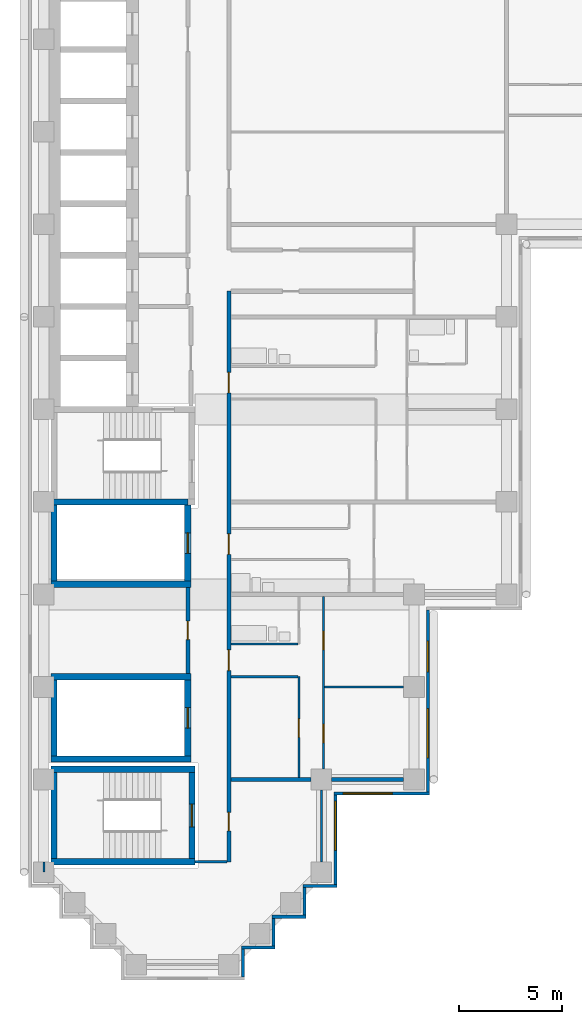
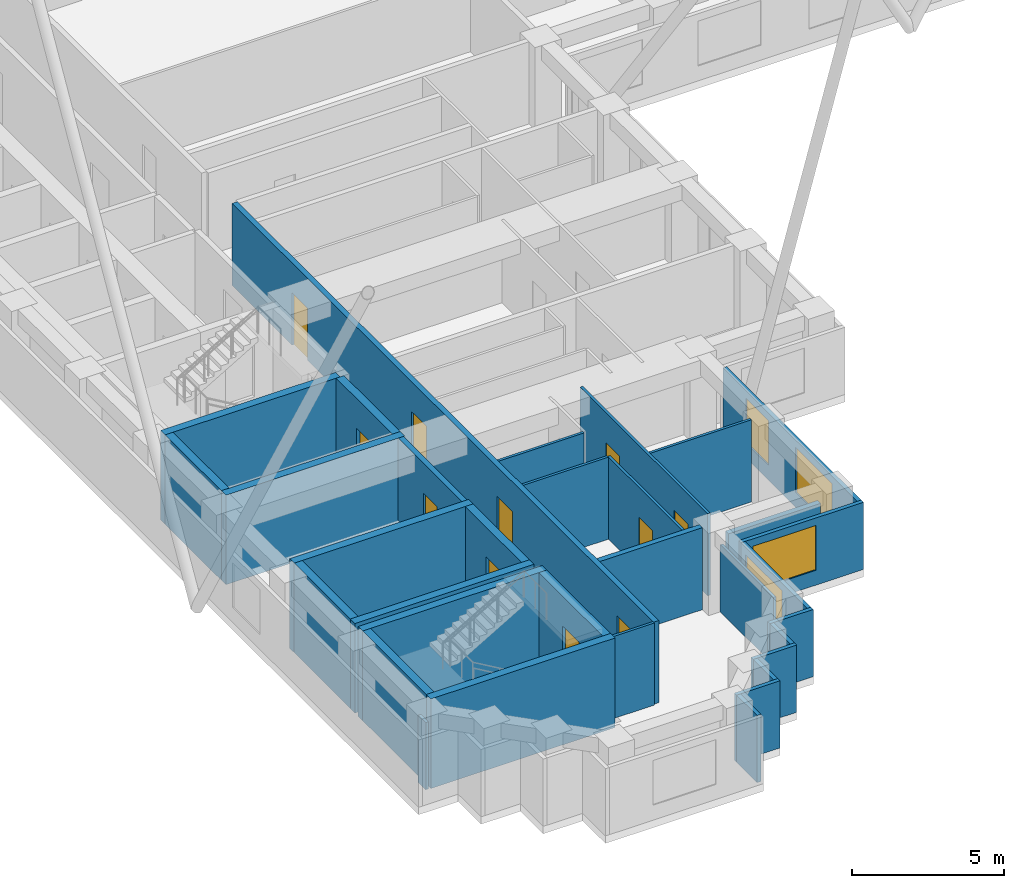
# One storey, part 3 of 13: 33 walls, 11 doors, 4 windows, 15 openings.
"""IFC4 building model written with IfcOpenShell, lengths in metres."""

from ifc_helpers import new_model, si_unit, direction, frame, frame_2d, origin, place, context, subcontext, project, spatial, rectangle, extrude, material, layer, layer_set, type_object, element, fill, save


model = new_model("IFC4")

# Units and contexts
model_context = context("Model", 3, precision=1e-05, world=origin(), true_north=direction((0.0, 1.0)))
body_context = subcontext(model_context, "Body", "Model", "MODEL_VIEW")
ifc_project = project(units=[si_unit("LENGTHUNIT", "METRE"), si_unit("AREAUNIT", "SQUARE_METRE"), si_unit("VOLUMEUNIT", "CUBIC_METRE"), si_unit("PLANEANGLEUNIT", "RADIAN"), si_unit("MASSUNIT", "GRAM", prefix="KILO")], contexts=[model_context])

# Site, building, storey
site_placement = place(None, origin())
site = spatial("IfcSite", under=ifc_project, at=site_placement, CompositionType="ELEMENT")
building_placement = place(site_placement, origin())
building = spatial("IfcBuilding", under=site, at=building_placement, Name="Firuza Court", CompositionType="ELEMENT")
storey_placement = place(building_placement, frame((0.0, 0.0, 162.800048828125)))
storey = spatial("IfcBuildingStorey", under=building, at=storey_placement, Name="L41", CompositionType="ELEMENT", Elevation=162.800048828125)

# Walls
ifc_material_1 = material(Name="Moisture-resistant gypsum board partition")
ifc_layer_1 = layer(ifc_material_1, 0.10009765625)
ifc_layer_set_1 = layer_set([ifc_layer_1], Name="Moisture-resistant gypsum board partition")
wall_type_1 = type_object("IfcWallType", Name="Bathroom partition 100", PredefinedType="PLUMBINGWALL", material=ifc_layer_set_1)
wall_1_placement = place(storey_placement, frame((9.10009765625, 15.60009765625, 0.0), z_axis=(0.0, 0.0, 1.0), x_axis=(1.0, 0.0, 0.0)))
element("IfcWall", 1, at=wall_1_placement, inside=storey, type_object=wall_type_1, Name="Bathroom partition 100 L41", PredefinedType="PLUMBINGWALL", context=body_context, shape_type="SweptSolid", body=[
    extrude(rectangle(XDim=3.25, YDim=0.10009765625, at=frame_2d((1.625, 0.0))), origin(), (0.0, 0.0, 1.0), 3.300048828125),
])
ifc_material_2 = material(Name="Concrete C60/75", Category="concrete")
ifc_layer_2 = layer(ifc_material_2, 0.300048828125)
ifc_layer_set_2 = layer_set([ifc_layer_2], Name="Concrete C60/75")
wall_type_2 = type_object("IfcWallType", Name="Core wall 300 C60/75", PredefinedType="SHEAR", material=ifc_layer_set_2)
for number, where, z_axis, x_axis, name in (
    (2, (0.35009765625, 5.0, -0.300048828125), (0.0, 0.0, 1.0), (1.0, 0.0, 0.0), "Core wall stair L41"),
    (3, (0.35009765625, 9.5, -0.300048828125), (0.0, 0.0, 1.0), (1.0, 0.0, 0.0), "Core wall stair L41"),
):
    element("IfcWall", number, at=place(storey_placement, frame(where, z_axis=z_axis, x_axis=x_axis)), inside=storey, type_object=wall_type_2, Name=name, PredefinedType="SHEAR", context=body_context, shape_type="SweptSolid", body=[
        extrude(rectangle(XDim=7.0, YDim=0.300048828125, at=frame_2d((3.5, 0.0))), origin(), (0.0, 0.0, 1.0), 3.60009765625),
    ])
for number, where, z_axis, x_axis, name in (
    (4, (0.35009765625, 10.0, -0.300048828125), (0.0, 0.0, 1.0), (1.0, 0.0, 0.0), "Core wall riser L41"),
    (5, (0.35009765625, 14.0, -0.300048828125), (0.0, 0.0, 1.0), (1.0, 0.0, 0.0), "Core wall riser L41"),
    (6, (0.35009765625, 18.5, -0.300048828125), (0.0, 0.0, 1.0), (1.0, 0.0, 0.0), "Core wall riser L41"),
):
    element("IfcWall", number, at=place(storey_placement, frame(where, z_axis=z_axis, x_axis=x_axis)), inside=storey, type_object=wall_type_2, Name=name, PredefinedType="SHEAR", context=body_context, shape_type="SweptSolid", body=[
        extrude(rectangle(XDim=6.7998046875, YDim=0.300048828125, at=frame_2d((3.39990234375, 0.0))), origin(), (0.0, 0.0, 1.0), 3.60009765625),
    ])
wall_2_placement = place(storey_placement, frame((0.35009765625, 22.5, -0.300048828125), z_axis=(0.0, 0.0, 1.0), x_axis=(1.0, 0.0, 0.0)))
element("IfcWall", 7, at=wall_2_placement, inside=storey, type_object=wall_type_2, Name="Core wall riser L41", PredefinedType="SHEAR", context=body_context, shape_type="SweptSolid", body=[
    extrude(rectangle(XDim=6.64990234375, YDim=0.300048828125, at=frame_2d((3.324951171875, 0.0))), origin(), (0.0, 0.0, 1.0), 3.60009765625),
])
wall_3_placement = place(storey_placement, frame((0.5, 5.14990234375, -0.300048828125), z_axis=(0.0, 0.0, 1.0), x_axis=(0.0, 1.0, 0.0)))
element("IfcWall", 8, at=wall_3_placement, inside=storey, type_object=wall_type_2, Name="Core wall stair L41", PredefinedType="SHEAR", context=body_context, shape_type="SweptSolid", body=[
    extrude(rectangle(XDim=4.2001953125, YDim=0.300048828125, at=frame_2d((2.10009765625, 0.0))), origin(), (0.0, 0.0, 1.0), 3.60009765625),
])
for number, where, z_axis, x_axis, name in (
    (9, (0.5, 10.14990234375, -0.300048828125), (0.0, 0.0, 1.0), (0.0, 1.0, 0.0), "Core wall riser L41"),
    (10, (0.5, 18.64990234375, -0.300048828125), (0.0, 0.0, 1.0), (0.0, 1.0, 0.0), "Core wall riser L41"),
):
    element("IfcWall", number, at=place(storey_placement, frame(where, z_axis=z_axis, x_axis=x_axis)), inside=storey, type_object=wall_type_2, Name=name, PredefinedType="SHEAR", context=body_context, shape_type="SweptSolid", body=[
        extrude(rectangle(XDim=3.7001953125, YDim=0.300048828125, at=frame_2d((1.85009765625, 0.0))), origin(), (0.0, 0.0, 1.0), 3.60009765625),
    ])

# Wall, opening, door
wall_4_placement = place(storey_placement, frame((7.0, 10.14990234375, -0.300048828125), z_axis=(0.0, 0.0, 1.0), x_axis=(0.0, 1.0, 0.0)))
wall_4 = element("IfcWall", 11, at=wall_4_placement, inside=storey, type_object=wall_type_2, Name="Core wall riser L41", PredefinedType="SHEAR", context=body_context, shape_type="SweptSolid", body=[
    extrude(rectangle(XDim=3.7001953125, YDim=0.300048828125, at=frame_2d((1.85009765625, 0.0))), origin(), (0.0, 0.0, 1.0), 3.60009765625),
])
opening_1_placement = place(wall_4_placement, frame((1.35009765625, 0.0, 0.300048828125)))
opening_1 = element("IfcOpeningElement", 12, at=opening_1_placement, cuts=wall_4, Name="Opening D41011", PredefinedType="OPENING", context=body_context, shape_type="SweptSolid", body=[
    extrude(rectangle(XDim=1.0, YDim=2.10009765625, at=frame_2d((0.5, 1.050048828125))), frame((0.0, 0.162109375, 0.0), z_axis=(0.0, -1.0, 0.0), x_axis=(1.0, 0.0, 0.0)), (0.0, 0.0, 1.0), 0.323974609375),
])
ifc_material_3 = material(Name="Timber door leaf in hardwood frame", Category="wood")
door_type_1 = type_object("IfcDoorType", Name="Riser door 1000", OperationType="SINGLE_SWING_LEFT", PredefinedType="DOOR", material=ifc_material_3)
door_1_placement = place(opening_1_placement, origin())
door_1 = element("IfcDoor", 13, at=door_1_placement, inside=storey, type_object=door_type_1, Name="Riser door R4", OperationType="SINGLE_SWING_LEFT", OverallHeight=2.10009765625, OverallWidth=1.0, PredefinedType="DOOR", context=body_context, shape_type="SweptSolid", body=[
    extrude(rectangle(XDim=1.0, YDim=2.10009765625, at=frame_2d((0.5, 1.050048828125))), frame((0.0, 0.02490234375, 0.0), z_axis=(0.0, -1.0, 0.0), x_axis=(1.0, 0.0, 0.0)), (0.0, 0.0, 1.0), 0.050048828125),
])
fill(opening_1, door_1)

wall_5_placement = place(storey_placement, frame((7.0, 18.64990234375, -0.300048828125), z_axis=(0.0, 0.0, 1.0), x_axis=(0.0, 1.0, 0.0)))
wall_5 = element("IfcWall", 14, at=wall_5_placement, inside=storey, type_object=wall_type_2, Name="Core wall riser L41", PredefinedType="SHEAR", context=body_context, shape_type="SweptSolid", body=[
    extrude(rectangle(XDim=3.7001953125, YDim=0.300048828125, at=frame_2d((1.85009765625, 0.0))), origin(), (0.0, 0.0, 1.0), 3.60009765625),
])
opening_2_placement = place(wall_5_placement, frame((1.35009765625, 0.0, 0.300048828125)))
opening_2 = element("IfcOpeningElement", 15, at=opening_2_placement, cuts=wall_5, Name="Opening D41009", PredefinedType="OPENING", context=body_context, shape_type="SweptSolid", body=[
    extrude(rectangle(XDim=1.0, YDim=2.10009765625, at=frame_2d((0.5, 1.050048828125))), frame((0.0, 0.162109375, 0.0), z_axis=(0.0, -1.0, 0.0), x_axis=(1.0, 0.0, 0.0)), (0.0, 0.0, 1.0), 0.323974609375),
])
door_2_placement = place(opening_2_placement, origin())
door_2 = element("IfcDoor", 16, at=door_2_placement, inside=storey, type_object=door_type_1, Name="Riser door R1", OperationType="SINGLE_SWING_LEFT", OverallHeight=2.10009765625, OverallWidth=1.0, PredefinedType="DOOR", context=body_context, shape_type="SweptSolid", body=[
    extrude(rectangle(XDim=1.0, YDim=2.10009765625, at=frame_2d((0.5, 1.050048828125))), frame((0.0, 0.02490234375, 0.0), z_axis=(0.0, -1.0, 0.0), x_axis=(1.0, 0.0, 0.0)), (0.0, 0.0, 1.0), 0.050048828125),
])
fill(opening_2, door_2)

wall_6_placement = place(storey_placement, frame((7.199951171875, 5.14990234375, -0.300048828125), z_axis=(0.0, 0.0, 1.0), x_axis=(0.0, 1.0, 0.0)))
wall_6 = element("IfcWall", 17, at=wall_6_placement, inside=storey, type_object=wall_type_2, Name="Core wall stair L41", PredefinedType="SHEAR", context=body_context, shape_type="SweptSolid", body=[
    extrude(rectangle(XDim=4.2001953125, YDim=0.300048828125, at=frame_2d((2.10009765625, 0.0))), origin(), (0.0, 0.0, 1.0), 3.60009765625),
])
opening_3_placement = place(wall_6_placement, frame((1.550048828125, 0.0, 0.300048828125)))
opening_3 = element("IfcOpeningElement", 18, at=opening_3_placement, cuts=wall_6, Name="Opening D41017", PredefinedType="OPENING", context=body_context, shape_type="SweptSolid", body=[
    extrude(rectangle(XDim=1.10009765625, YDim=2.10009765625, at=frame_2d((0.550048828125, 1.050048828125))), frame((0.0, 0.162109375, 0.0), z_axis=(0.0, -1.0, 0.0), x_axis=(1.0, 0.0, 0.0)), (0.0, 0.0, 1.0), 0.323974609375),
])
ifc_material_4 = material(Name="Timber door leaf in hardwood frame", Category="wood")
door_type_2 = type_object("IfcDoorType", Name="Stair door 1100", OperationType="SINGLE_SWING_LEFT", PredefinedType="DOOR", material=ifc_material_4)
door_3_placement = place(opening_3_placement, origin())
door_3 = element("IfcDoor", 19, at=door_3_placement, inside=storey, type_object=door_type_2, Name="Stair door S5", OperationType="SINGLE_SWING_LEFT", OverallHeight=2.10009765625, OverallWidth=1.10009765625, PredefinedType="DOOR", context=body_context, shape_type="SweptSolid", body=[
    extrude(rectangle(XDim=1.10009765625, YDim=2.10009765625, at=frame_2d((0.550048828125, 1.050048828125))), frame((0.0, 0.02490234375, 0.0), z_axis=(0.0, -1.0, 0.0), x_axis=(1.0, 0.0, 0.0)), (0.0, 0.0, 1.0), 0.050048828125),
])
fill(opening_3, door_3)

# Wall, openings, doors
ifc_material_5 = material(Name="Blockwork, plastered both sides", Category="masonry")
ifc_layer_3 = layer(ifc_material_5, 0.199951171875)
ifc_layer_set_3 = layer_set([ifc_layer_3], Name="Blockwork, plastered both sides")
wall_type_3 = type_object("IfcWallType", Name="Corridor wall 200", PredefinedType="PARTITIONING", material=ifc_layer_set_3)
wall_7_placement = place(storey_placement, frame((9.0, 5.0, 0.0), z_axis=(0.0, 0.0, 1.0), x_axis=(0.0, 1.0, 0.0)))
wall_7 = element("IfcWall", 20, at=wall_7_placement, inside=storey, type_object=wall_type_3, Name="Corridor wall 200 L41", PredefinedType="PARTITIONING", context=body_context, shape_type="SweptSolid", body=[
    extrude(rectangle(XDim=27.75, YDim=0.199951171875, at=frame_2d((13.875, 0.0))), origin(), (0.0, 0.0, 1.0), 3.300048828125),
])
opening_4_placement = place(wall_7_placement, frame((22.800048828125, 0.0, 0.0)))
opening_4 = element("IfcOpeningElement", 21, at=opening_4_placement, cuts=wall_7, Name="Opening D41018", PredefinedType="OPENING", context=body_context, shape_type="SweptSolid", body=[
    extrude(rectangle(XDim=1.0, YDim=2.10009765625, at=frame_2d((0.5, 1.050048828125))), frame((0.0, 0.11181640625, 0.0), z_axis=(0.0, -1.0, 0.0), x_axis=(1.0, 0.0, 0.0)), (0.0, 0.0, 1.0), 0.223876953125),
])
opening_5_placement = place(wall_7_placement, frame((14.949951171875, 0.0, 0.0)))
opening_5 = element("IfcOpeningElement", 22, at=opening_5_placement, cuts=wall_7, Name="Opening D41019", PredefinedType="OPENING", context=body_context, shape_type="SweptSolid", body=[
    extrude(rectangle(XDim=1.0, YDim=2.10009765625, at=frame_2d((0.5, 1.050048828125))), frame((0.0, 0.11181640625, 0.0), z_axis=(0.0, -1.0, 0.0), x_axis=(1.0, 0.0, 0.0)), (0.0, 0.0, 1.0), 0.223876953125),
])
opening_6_placement = place(wall_7_placement, frame((9.300048828125, 0.0, 0.0)))
opening_6 = element("IfcOpeningElement", 23, at=opening_6_placement, cuts=wall_7, Name="Opening D41020", PredefinedType="OPENING", context=body_context, shape_type="SweptSolid", body=[
    extrude(rectangle(XDim=1.0, YDim=2.10009765625, at=frame_2d((0.5, 1.050048828125))), frame((0.0, 0.11181640625, 0.0), z_axis=(0.0, -1.0, 0.0), x_axis=(1.0, 0.0, 0.0)), (0.0, 0.0, 1.0), 0.223876953125),
])
opening_7_placement = place(wall_7_placement, frame((1.5, 0.0, 0.0)))
opening_7 = element("IfcOpeningElement", 24, at=opening_7_placement, cuts=wall_7, Name="Opening D41021", PredefinedType="OPENING", context=body_context, shape_type="SweptSolid", body=[
    extrude(rectangle(XDim=0.89990234375, YDim=2.10009765625, at=frame_2d((0.449951171875, 1.050048828125))), frame((0.0, 0.11181640625, 0.0), z_axis=(0.0, -1.0, 0.0), x_axis=(1.0, 0.0, 0.0)), (0.0, 0.0, 1.0), 0.223876953125),
])
ifc_material_6 = material(Name="Timber door leaf in hardwood frame", Category="wood")
door_type_3 = type_object("IfcDoorType", Name="Flat entrance door 1000", OperationType="SINGLE_SWING_LEFT", PredefinedType="DOOR", material=ifc_material_6)
door_4_placement = place(opening_4_placement, origin())
door_4 = element("IfcDoor", 25, at=door_4_placement, inside=storey, type_object=door_type_3, Name="Flat entrance door", OperationType="SINGLE_SWING_LEFT", OverallHeight=2.10009765625, OverallWidth=1.0, PredefinedType="DOOR", context=body_context, shape_type="SweptSolid", body=[
    extrude(rectangle(XDim=1.0, YDim=2.10009765625, at=frame_2d((0.5, 1.050048828125))), frame((0.0, 0.02490234375, 0.0), z_axis=(0.0, -1.0, 0.0), x_axis=(1.0, 0.0, 0.0)), (0.0, 0.0, 1.0), 0.050048828125),
])
fill(opening_4, door_4)
door_5_placement = place(opening_5_placement, origin())
door_5 = element("IfcDoor", 26, at=door_5_placement, inside=storey, type_object=door_type_3, Name="Flat entrance door", OperationType="SINGLE_SWING_LEFT", OverallHeight=2.10009765625, OverallWidth=1.0, PredefinedType="DOOR", context=body_context, shape_type="SweptSolid", body=[
    extrude(rectangle(XDim=1.0, YDim=2.10009765625, at=frame_2d((0.5, 1.050048828125))), frame((0.0, 0.02490234375, 0.0), z_axis=(0.0, -1.0, 0.0), x_axis=(1.0, 0.0, 0.0)), (0.0, 0.0, 1.0), 0.050048828125),
])
fill(opening_5, door_5)
door_6_placement = place(opening_6_placement, origin())
door_6 = element("IfcDoor", 27, at=door_6_placement, inside=storey, type_object=door_type_3, Name="Flat entrance door", OperationType="SINGLE_SWING_LEFT", OverallHeight=2.10009765625, OverallWidth=1.0, PredefinedType="DOOR", context=body_context, shape_type="SweptSolid", body=[
    extrude(rectangle(XDim=1.0, YDim=2.10009765625, at=frame_2d((0.5, 1.050048828125))), frame((0.0, 0.02490234375, 0.0), z_axis=(0.0, -1.0, 0.0), x_axis=(1.0, 0.0, 0.0)), (0.0, 0.0, 1.0), 0.050048828125),
])
fill(opening_6, door_6)
ifc_material_7 = material(Name="Timber door leaf in hardwood frame", Category="wood")
door_type_4 = type_object("IfcDoorType", Name="Room door 900 EI 30", OperationType="SINGLE_SWING_LEFT", PredefinedType="DOOR", material=ifc_material_7)
door_7_placement = place(opening_7_placement, frame((0.89990234375, 0.0, 0.0), z_axis=(0.0, 0.0, 1.0), x_axis=(-1.0, 0.0, 0.0)))
door_7 = element("IfcDoor", 28, at=door_7_placement, inside=storey, type_object=door_type_4, Name="Music room door", OperationType="SINGLE_SWING_LEFT", OverallHeight=2.10009765625, OverallWidth=0.89990234375, PredefinedType="DOOR", context=body_context, shape_type="SweptSolid", body=[
    extrude(rectangle(XDim=0.89990234375, YDim=2.10009765625, at=frame_2d((0.449951171875, 1.050048828125))), frame((0.0, 0.02490234375, 0.0), z_axis=(0.0, -1.0, 0.0), x_axis=(1.0, 0.0, 0.0)), (0.0, 0.0, 1.0), 0.050048828125),
])
fill(opening_7, door_7)

# Wall, opening, door
wall_8_placement = place(storey_placement, frame((7.0, 14.14990234375, 0.0), z_axis=(0.0, 0.0, 1.0), x_axis=(0.0, 1.0, 0.0)))
wall_8 = element("IfcWall", 29, at=wall_8_placement, inside=storey, type_object=wall_type_3, Name="Corridor wall 200 L41", PredefinedType="PARTITIONING", context=body_context, shape_type="SweptSolid", body=[
    extrude(rectangle(XDim=4.2001953125, YDim=0.199951171875, at=frame_2d((2.10009765625, 0.0))), origin(), (0.0, 0.0, 1.0), 3.300048828125),
])
opening_8_placement = place(wall_8_placement, frame((1.64990234375, 0.0, 0.0)))
opening_8 = element("IfcOpeningElement", 30, at=opening_8_placement, cuts=wall_8, Name="Opening D41025", PredefinedType="OPENING", context=body_context, shape_type="SweptSolid", body=[
    extrude(rectangle(XDim=0.89990234375, YDim=2.10009765625, at=frame_2d((0.449951171875, 1.050048828125))), frame((0.0, 0.11181640625, 0.0), z_axis=(0.0, -1.0, 0.0), x_axis=(1.0, 0.0, 0.0)), (0.0, 0.0, 1.0), 0.223876953125),
])
door_8_placement = place(opening_8_placement, origin())
door_8 = element("IfcDoor", 31, at=door_8_placement, inside=storey, type_object=door_type_4, Name="Meeting room door", OperationType="SINGLE_SWING_LEFT", OverallHeight=2.10009765625, OverallWidth=0.89990234375, PredefinedType="DOOR", context=body_context, shape_type="SweptSolid", body=[
    extrude(rectangle(XDim=0.89990234375, YDim=2.10009765625, at=frame_2d((0.449951171875, 1.050048828125))), frame((0.0, 0.02490234375, 0.0), z_axis=(0.0, -1.0, 0.0), x_axis=(1.0, 0.0, 0.0)), (0.0, 0.0, 1.0), 0.050048828125),
])
fill(opening_8, door_8)

# Walls
ifc_material_8 = material(Name="Timber stud partition, plasterboard both sides", Category="wood")
ifc_layer_4 = layer(ifc_material_8, 0.10009765625)
ifc_layer_set_4 = layer_set([ifc_layer_4], Name="Timber stud partition, plasterboard both sides")
wall_type_4 = type_object("IfcWallType", Name="Partition wall 100", PredefinedType="PARTITIONING", material=ifc_layer_set_4)
wall_9_placement = place(storey_placement, frame((0.0, 4.5, 0.0), z_axis=(0.0, 0.0, 1.0), x_axis=(0.0, 1.0, 0.0)))
element("IfcWall", 32, at=wall_9_placement, inside=storey, type_object=wall_type_4, Name="Partition wall 100 L41", PredefinedType="PARTITIONING", context=body_context, shape_type="SweptSolid", body=[
    extrude(rectangle(XDim=0.5, YDim=0.10009765625, at=frame_2d((0.25, 0.0))), origin(), (0.0, 0.0, 1.0), 2.699951171875),
])
wall_10_placement = place(storey_placement, frame((7.34912109375, 5.0, 0.0), z_axis=(0.0, 0.0, 1.0), x_axis=(1.0, 0.0, 0.0)))
element("IfcWall", 33, at=wall_10_placement, inside=storey, type_object=wall_type_4, Name="Partition wall 100 L41", PredefinedType="PARTITIONING", context=body_context, shape_type="SweptSolid", body=[
    extrude(rectangle(XDim=1.55078125, YDim=0.10009765625, at=frame_2d((0.775390625, 0.0))), origin(), (0.0, 0.0, 1.0), 3.300048828125),
])
wall_11_placement = place(storey_placement, frame((13.5, 5.0, 0.0), z_axis=(0.0, 0.0, 1.0), x_axis=(0.0, 1.0, 0.0)))
element("IfcWall", 34, at=wall_11_placement, inside=storey, type_object=wall_type_4, Name="Partition wall 100 L41", PredefinedType="PARTITIONING", context=body_context, shape_type="SweptSolid", body=[
    extrude(rectangle(XDim=3.5, YDim=0.10009765625, at=frame_2d((1.75, 0.0))), origin(), (0.0, 0.0, 1.0), 2.699951171875),
])

# Wall, opening, door
wall_12_placement = place(storey_placement, frame((12.39990234375, 9.10009765625, 0.0), z_axis=(0.0, 0.0, 1.0), x_axis=(0.0, 1.0, 0.0)))
wall_12 = element("IfcWall", 35, at=wall_12_placement, inside=storey, type_object=wall_type_4, Name="Partition wall 100 L41", PredefinedType="PARTITIONING", context=body_context, shape_type="SweptSolid", body=[
    extrude(rectangle(XDim=4.89990234375, YDim=0.10009765625, at=frame_2d((2.449951171875, 0.0))), origin(), (0.0, 0.0, 1.0), 3.300048828125),
])
opening_9_placement = place(wall_12_placement, frame((1.949951171875, 0.0, 0.0)))
opening_9 = element("IfcOpeningElement", 36, at=opening_9_placement, cuts=wall_12, Name="Opening D41022", PredefinedType="OPENING", context=body_context, shape_type="SweptSolid", body=[
    extrude(rectangle(XDim=0.89990234375, YDim=2.10009765625, at=frame_2d((0.449951171875, 1.050048828125))), frame((0.0, 0.06201171875, 0.0), z_axis=(0.0, -1.0, 0.0), x_axis=(1.0, 0.0, 0.0)), (0.0, 0.0, 1.0), 0.1240234375),
])
ifc_material_9 = material(Name="Timber door leaf in hardwood frame", Category="wood")
door_type_5 = type_object("IfcDoorType", Name="Room door 900", OperationType="SINGLE_SWING_LEFT", PredefinedType="DOOR", material=ifc_material_9)
door_9_placement = place(opening_9_placement, origin())
door_9 = element("IfcDoor", 37, at=door_9_placement, inside=storey, type_object=door_type_5, Name="Kitchen door", OperationType="SINGLE_SWING_LEFT", OverallHeight=2.10009765625, OverallWidth=0.89990234375, PredefinedType="DOOR", context=body_context, shape_type="SweptSolid", body=[
    extrude(rectangle(XDim=0.89990234375, YDim=2.10009765625, at=frame_2d((0.449951171875, 1.050048828125))), frame((0.0, 0.02490234375, 0.0), z_axis=(0.0, -1.0, 0.0), x_axis=(1.0, 0.0, 0.0)), (0.0, 0.0, 1.0), 0.050048828125),
])
fill(opening_9, door_9)

# Wall, openings, doors
wall_13_placement = place(storey_placement, frame((13.60009765625, 9.5, 0.0), z_axis=(0.0, 0.0, 1.0), x_axis=(0.0, 1.0, 0.0)))
wall_13 = element("IfcWall", 38, at=wall_13_placement, inside=storey, type_object=wall_type_4, Name="Partition wall 100 L41", PredefinedType="PARTITIONING", context=body_context, shape_type="SweptSolid", body=[
    extrude(rectangle(XDim=8.39990234375, YDim=0.10009765625, at=frame_2d((4.199951171875, 0.0))), origin(), (0.0, 0.0, 1.0), 3.300048828125),
])
opening_10_placement = place(wall_13_placement, frame((1.300048828125, 0.0, 0.0)))
opening_10 = element("IfcOpeningElement", 39, at=opening_10_placement, cuts=wall_13, Name="Opening D41023", PredefinedType="OPENING", context=body_context, shape_type="SweptSolid", body=[
    extrude(rectangle(XDim=0.89990234375, YDim=2.10009765625, at=frame_2d((0.449951171875, 1.050048828125))), frame((0.0, 0.06201171875, 0.0), z_axis=(0.0, -1.0, 0.0), x_axis=(1.0, 0.0, 0.0)), (0.0, 0.0, 1.0), 0.1240234375),
])
opening_11_placement = place(wall_13_placement, frame((5.800048828125, 0.0, 0.0)))
opening_11 = element("IfcOpeningElement", 40, at=opening_11_placement, cuts=wall_13, Name="Opening D41024", PredefinedType="OPENING", context=body_context, shape_type="SweptSolid", body=[
    extrude(rectangle(XDim=0.89990234375, YDim=2.10009765625, at=frame_2d((0.449951171875, 1.050048828125))), frame((0.0, 0.06201171875, 0.0), z_axis=(0.0, -1.0, 0.0), x_axis=(1.0, 0.0, 0.0)), (0.0, 0.0, 1.0), 0.1240234375),
])
door_10_placement = place(opening_10_placement, frame((0.89990234375, 0.0, 0.0), z_axis=(0.0, 0.0, 1.0), x_axis=(-1.0, 0.0, 0.0)))
door_10 = element("IfcDoor", 41, at=door_10_placement, inside=storey, type_object=door_type_5, Name="Living room door", OperationType="SINGLE_SWING_RIGHT", OverallHeight=2.10009765625, OverallWidth=0.89990234375, PredefinedType="DOOR", context=body_context, shape_type="SweptSolid", body=[
    extrude(rectangle(XDim=0.89990234375, YDim=2.10009765625, at=frame_2d((0.449951171875, 1.050048828125))), frame((0.0, 0.02490234375, 0.0), z_axis=(0.0, -1.0, 0.0), x_axis=(1.0, 0.0, 0.0)), (0.0, 0.0, 1.0), 0.050048828125),
])
fill(opening_10, door_10)
door_11_placement = place(opening_11_placement, frame((0.89990234375, 0.0, 0.0), z_axis=(0.0, 0.0, 1.0), x_axis=(-1.0, 0.0, 0.0)))
door_11 = element("IfcDoor", 42, at=door_11_placement, inside=storey, type_object=door_type_5, Name="Bedroom door", OperationType="SINGLE_SWING_RIGHT", OverallHeight=2.10009765625, OverallWidth=0.89990234375, PredefinedType="DOOR", context=body_context, shape_type="SweptSolid", body=[
    extrude(rectangle(XDim=0.89990234375, YDim=2.10009765625, at=frame_2d((0.449951171875, 1.050048828125))), frame((0.0, 0.02490234375, 0.0), z_axis=(0.0, -1.0, 0.0), x_axis=(1.0, 0.0, 0.0)), (0.0, 0.0, 1.0), 0.050048828125),
])
fill(opening_11, door_11)

# Walls
wall_14_placement = place(storey_placement, frame((13.64990234375, 13.5, 0.0), z_axis=(0.0, 0.0, 1.0), x_axis=(1.0, 0.0, 0.0)))
element("IfcWall", 43, at=wall_14_placement, inside=storey, type_object=wall_type_4, Name="Partition wall 100 L41", PredefinedType="PARTITIONING", context=body_context, shape_type="SweptSolid", body=[
    extrude(rectangle(XDim=3.85009765625, YDim=0.10009765625, at=frame_2d((1.925048828125, 0.0))), origin(), (0.0, 0.0, 1.0), 3.300048828125),
])
wall_15_placement = place(storey_placement, frame((9.10009765625, 14.0, 0.0), z_axis=(0.0, 0.0, 1.0), x_axis=(1.0, 0.0, 0.0)))
element("IfcWall", 44, at=wall_15_placement, inside=storey, type_object=wall_type_4, Name="Partition wall 100 L41", PredefinedType="PARTITIONING", context=body_context, shape_type="SweptSolid", body=[
    extrude(rectangle(XDim=3.25, YDim=0.10009765625, at=frame_2d((1.625, 0.0))), origin(), (0.0, 0.0, 1.0), 3.300048828125),
])
ifc_layer_5 = layer(ifc_material_5, 0.199951171875)
ifc_layer_set_5 = layer_set([ifc_layer_5], Name="Blockwork, plastered both sides")
wall_type_5 = type_object("IfcWallType", Name="Party wall 200", PredefinedType="PARTITIONING", material=ifc_layer_set_5)
wall_16_placement = place(storey_placement, frame((9.10009765625, 9.0, 0.0), z_axis=(0.0, 0.0, 1.0), x_axis=(1.0, 0.0, 0.0)))
element("IfcWall", 45, at=wall_16_placement, inside=storey, type_object=wall_type_5, Name="Party wall 200 L41", PredefinedType="PARTITIONING", context=body_context, shape_type="SweptSolid", body=[
    extrude(rectangle(XDim=3.89990234375, YDim=0.199951171875, at=frame_2d((1.949951171875, 0.0))), origin(), (0.0, 0.0, 1.0), 3.300048828125),
])
wall_17_placement = place(storey_placement, frame((14.0, 9.0, 0.0), z_axis=(0.0, 0.0, 1.0), x_axis=(1.0, 0.0, 0.0)))
element("IfcWall", 46, at=wall_17_placement, inside=storey, type_object=wall_type_5, Name="Party wall 200 L41", PredefinedType="PARTITIONING", context=body_context, shape_type="SweptSolid", body=[
    extrude(rectangle(XDim=3.5, YDim=0.199951171875, at=frame_2d((1.75, 0.0))), origin(), (0.0, 0.0, 1.0), 2.699951171875),
])
ifc_material_10 = material(Name="Ceramic tile", Category="ceramic")
ifc_layer_6 = layer(ifc_material_10, 0.02001953125)
ifc_material_11 = material(Name="Mineral wool insulation", Category="insulation")
ifc_layer_7 = layer(ifc_material_11, 0.050048828125)
ifc_material_12 = material(Name="Concrete C40/50 precast", Category="concrete")
ifc_layer_8 = layer(ifc_material_12, 0.080078125)
ifc_layer_set_6 = layer_set([ifc_layer_6, ifc_layer_7, ifc_layer_8], Name="Concrete C40/50 precast")
wall_type_6 = type_object("IfcWallType", Name="Precast cladding wall with turquoise TILE PANEL face 150", PredefinedType="STANDARD", material=ifc_layer_set_6)
wall_18_placement = place(storey_placement, frame((9.675048828125, -0.60009765625, 0.0), z_axis=(0.0, 0.0, 1.0), x_axis=(0.0, 1.0, 0.0)))
element("IfcWall", 47, at=wall_18_placement, inside=storey, type_object=wall_type_6, Name="Facade wall L41 E", PredefinedType="STANDARD", context=body_context, shape_type="SweptSolid", body=[
    extrude(rectangle(XDim=1.35009765625, YDim=0.14990234375, at=frame_2d((0.675048828125, 0.0))), origin(), (0.0, 0.0, 1.0), 2.699951171875),
])
wall_19_placement = place(storey_placement, frame((9.60009765625, 0.824951171875, 0.0), z_axis=(0.0, 0.0, 1.0), x_axis=(1.0, 0.0, 0.0)))
element("IfcWall", 48, at=wall_19_placement, inside=storey, type_object=wall_type_6, Name="Facade wall L41 S", PredefinedType="STANDARD", context=body_context, shape_type="SweptSolid", body=[
    extrude(rectangle(XDim=1.64990234375, YDim=0.14990234375, at=frame_2d((0.824951171875, 0.0))), origin(), (0.0, 0.0, 1.0), 2.699951171875),
])
wall_20_placement = place(storey_placement, frame((11.175048828125, 0.89990234375, 0.0), z_axis=(0.0, 0.0, 1.0), x_axis=(0.0, 1.0, 0.0)))
element("IfcWall", 49, at=wall_20_placement, inside=storey, type_object=wall_type_6, Name="Facade wall L41 E", PredefinedType="STANDARD", context=body_context, shape_type="SweptSolid", body=[
    extrude(rectangle(XDim=1.35009765625, YDim=0.14990234375, at=frame_2d((0.675048828125, 0.0))), origin(), (0.0, 0.0, 1.0), 2.699951171875),
])
wall_21_placement = place(storey_placement, frame((11.10009765625, 2.324951171875, 0.0), z_axis=(0.0, 0.0, 1.0), x_axis=(1.0, 0.0, 0.0)))
element("IfcWall", 50, at=wall_21_placement, inside=storey, type_object=wall_type_6, Name="Facade wall L41 S", PredefinedType="STANDARD", context=body_context, shape_type="SweptSolid", body=[
    extrude(rectangle(XDim=1.64990234375, YDim=0.14990234375, at=frame_2d((0.824951171875, 0.0))), origin(), (0.0, 0.0, 1.0), 2.699951171875),
])
wall_22_placement = place(storey_placement, frame((12.675048828125, 2.39990234375, 0.0), z_axis=(0.0, 0.0, 1.0), x_axis=(0.0, 1.0, 0.0)))
element("IfcWall", 51, at=wall_22_placement, inside=storey, type_object=wall_type_6, Name="Facade wall L41 E", PredefinedType="STANDARD", context=body_context, shape_type="SweptSolid", body=[
    extrude(rectangle(XDim=1.35009765625, YDim=0.14990234375, at=frame_2d((0.675048828125, 0.0))), origin(), (0.0, 0.0, 1.0), 2.699951171875),
])
wall_23_placement = place(storey_placement, frame((12.60009765625, 3.824951171875, 0.0), z_axis=(0.0, 0.0, 1.0), x_axis=(1.0, 0.0, 0.0)))
element("IfcWall", 52, at=wall_23_placement, inside=storey, type_object=wall_type_6, Name="Facade wall L41 S", PredefinedType="STANDARD", context=body_context, shape_type="SweptSolid", body=[
    extrude(rectangle(XDim=1.64990234375, YDim=0.14990234375, at=frame_2d((0.824951171875, 0.0))), origin(), (0.0, 0.0, 1.0), 2.699951171875),
])

# Wall, opening, window
wall_24_placement = place(storey_placement, frame((14.175048828125, 3.89990234375, 0.0), z_axis=(0.0, 0.0, 1.0), x_axis=(0.0, 1.0, 0.0)))
wall_24 = element("IfcWall", 53, at=wall_24_placement, inside=storey, type_object=wall_type_6, Name="Facade wall L41 E", PredefinedType="STANDARD", context=body_context, shape_type="SweptSolid", body=[
    extrude(rectangle(XDim=4.35009765625, YDim=0.14990234375, at=frame_2d((2.175048828125, 0.0))), origin(), (0.0, 0.0, 1.0), 2.699951171875),
])
opening_12_placement = place(wall_24_placement, frame((1.64990234375, 0.0, 0.60009765625)))
opening_12 = element("IfcOpeningElement", 54, at=opening_12_placement, cuts=wall_24, Name="Opening W1", PredefinedType="OPENING", context=body_context, shape_type="SweptSolid", body=[
    extrude(rectangle(XDim=2.39990234375, YDim=1.800048828125, at=frame_2d((1.199951171875, 0.89990234375))), frame((0.0, 0.0869140625, 0.0), z_axis=(0.0, -1.0, 0.0), x_axis=(1.0, 0.0, 0.0)), (0.0, 0.0, 1.0), 0.173828125),
])
ifc_material_13 = material(Name="Aluminium frame, triple clear glazing", Category="aluminium")
window_type_1 = type_object("IfcWindowType", Name="Window W1 2400 x 1800", PartitioningType="SINGLE_PANEL", PredefinedType="WINDOW", material=ifc_material_13)
window_1_placement = place(opening_12_placement, origin())
window_1 = element("IfcWindow", 55, at=window_1_placement, inside=storey, type_object=window_type_1, Name="Window L41", OverallHeight=1.800048828125, OverallWidth=2.39990234375, PartitioningType="SINGLE_PANEL", PredefinedType="WINDOW", context=body_context, shape_type="SweptSolid", body=[
    extrude(rectangle(XDim=2.39990234375, YDim=1.800048828125, at=frame_2d((1.199951171875, 0.89990234375))), frame((0.0, 0.030029296875, 0.0), z_axis=(0.0, -1.0, 0.0), x_axis=(1.0, 0.0, 0.0)), (0.0, 0.0, 1.0), 0.06005859375),
])
fill(opening_12, window_1)

wall_25_placement = place(storey_placement, frame((14.10009765625, 8.324951171875, 0.0), z_axis=(0.0, 0.0, 1.0), x_axis=(1.0, 0.0, 0.0)))
wall_25 = element("IfcWall", 56, at=wall_25_placement, inside=storey, type_object=wall_type_6, Name="Facade wall L41 S", PredefinedType="STANDARD", context=body_context, shape_type="SweptSolid", body=[
    extrude(rectangle(XDim=4.64990234375, YDim=0.14990234375, at=frame_2d((2.324951171875, 0.0))), origin(), (0.0, 0.0, 1.0), 2.699951171875),
])
opening_13_placement = place(wall_25_placement, frame((0.449951171875, 0.0, 0.60009765625)))
opening_13 = element("IfcOpeningElement", 57, at=opening_13_placement, cuts=wall_25, Name="Opening W1", PredefinedType="OPENING", context=body_context, shape_type="SweptSolid", body=[
    extrude(rectangle(XDim=2.39990234375, YDim=1.800048828125, at=frame_2d((1.199951171875, 0.89990234375))), frame((0.0, 0.0869140625, 0.0), z_axis=(0.0, -1.0, 0.0), x_axis=(1.0, 0.0, 0.0)), (0.0, 0.0, 1.0), 0.173828125),
])
window_2_placement = place(opening_13_placement, origin())
window_2 = element("IfcWindow", 58, at=window_2_placement, inside=storey, type_object=window_type_1, Name="Window L41", OverallHeight=1.800048828125, OverallWidth=2.39990234375, PartitioningType="SINGLE_PANEL", PredefinedType="WINDOW", context=body_context, shape_type="SweptSolid", body=[
    extrude(rectangle(XDim=2.39990234375, YDim=1.800048828125, at=frame_2d((1.199951171875, 0.89990234375))), frame((0.0, 0.030029296875, 0.0), z_axis=(0.0, -1.0, 0.0), x_axis=(1.0, 0.0, 0.0)), (0.0, 0.0, 1.0), 0.06005859375),
])
fill(opening_13, window_2)

# Wall, openings, windows
wall_26_placement = place(storey_placement, frame((18.675048828125, 8.39990234375, 0.0), z_axis=(0.0, 0.0, 1.0), x_axis=(0.0, 1.0, 0.0)))
wall_26 = element("IfcWall", 59, at=wall_26_placement, inside=storey, type_object=wall_type_6, Name="Facade wall L41 E", PredefinedType="STANDARD", context=body_context, shape_type="SweptSolid", body=[
    extrude(rectangle(XDim=8.85009765625, YDim=0.14990234375, at=frame_2d((4.425048828125, 0.0))), origin(), (0.0, 0.0, 1.0), 2.699951171875),
])
opening_14_placement = place(wall_26_placement, frame((1.64990234375, 0.0, 0.60009765625)))
opening_14 = element("IfcOpeningElement", 60, at=opening_14_placement, cuts=wall_26, Name="Opening W1", PredefinedType="OPENING", context=body_context, shape_type="SweptSolid", body=[
    extrude(rectangle(XDim=2.39990234375, YDim=1.800048828125, at=frame_2d((1.199951171875, 0.89990234375))), frame((0.0, 0.0869140625, 0.0), z_axis=(0.0, -1.0, 0.0), x_axis=(1.0, 0.0, 0.0)), (0.0, 0.0, 1.0), 0.173828125),
])
opening_15_placement = place(wall_26_placement, frame((5.830322265625, 0.0, 0.60009765625)))
opening_15 = element("IfcOpeningElement", 61, at=opening_15_placement, cuts=wall_26, Name="Opening W2", PredefinedType="OPENING", context=body_context, shape_type="SweptSolid", body=[
    extrude(rectangle(XDim=1.5, YDim=1.800048828125, at=frame_2d((0.75, 0.89990234375))), frame((0.0, 0.0869140625, 0.0), z_axis=(0.0, -1.0, 0.0), x_axis=(1.0, 0.0, 0.0)), (0.0, 0.0, 1.0), 0.173828125),
])
window_3_placement = place(opening_14_placement, origin())
window_3 = element("IfcWindow", 62, at=window_3_placement, inside=storey, type_object=window_type_1, Name="Window L41", OverallHeight=1.800048828125, OverallWidth=2.39990234375, PartitioningType="SINGLE_PANEL", PredefinedType="WINDOW", context=body_context, shape_type="SweptSolid", body=[
    extrude(rectangle(XDim=2.39990234375, YDim=1.800048828125, at=frame_2d((1.199951171875, 0.89990234375))), frame((0.0, 0.030029296875, 0.0), z_axis=(0.0, -1.0, 0.0), x_axis=(1.0, 0.0, 0.0)), (0.0, 0.0, 1.0), 0.06005859375),
])
fill(opening_14, window_3)
ifc_material_14 = material(Name="Aluminium frame, triple clear glazing", Category="aluminium")
window_type_2 = type_object("IfcWindowType", Name="Window W2 1500 x 1800", PartitioningType="SINGLE_PANEL", PredefinedType="WINDOW", material=ifc_material_14)
window_4_placement = place(opening_15_placement, origin())
window_4 = element("IfcWindow", 63, at=window_4_placement, inside=storey, type_object=window_type_2, Name="Window L41", OverallHeight=1.800048828125, OverallWidth=1.5, PartitioningType="SINGLE_PANEL", PredefinedType="WINDOW", context=body_context, shape_type="SweptSolid", body=[
    extrude(rectangle(XDim=1.5, YDim=1.800048828125, at=frame_2d((0.75, 0.89990234375))), frame((0.0, 0.030029296875, 0.0), z_axis=(0.0, -1.0, 0.0), x_axis=(1.0, 0.0, 0.0)), (0.0, 0.0, 1.0), 0.06005859375),
])
fill(opening_15, window_4)

save(model, "model.ifc")
